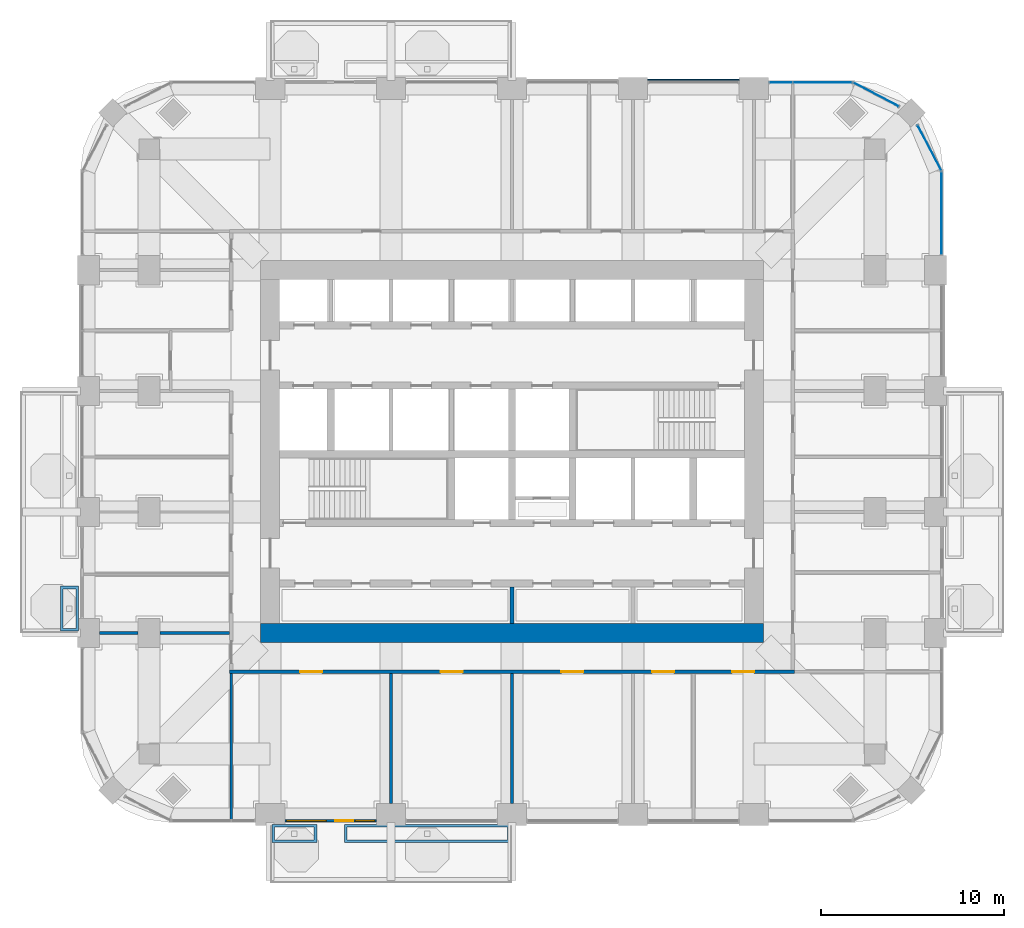
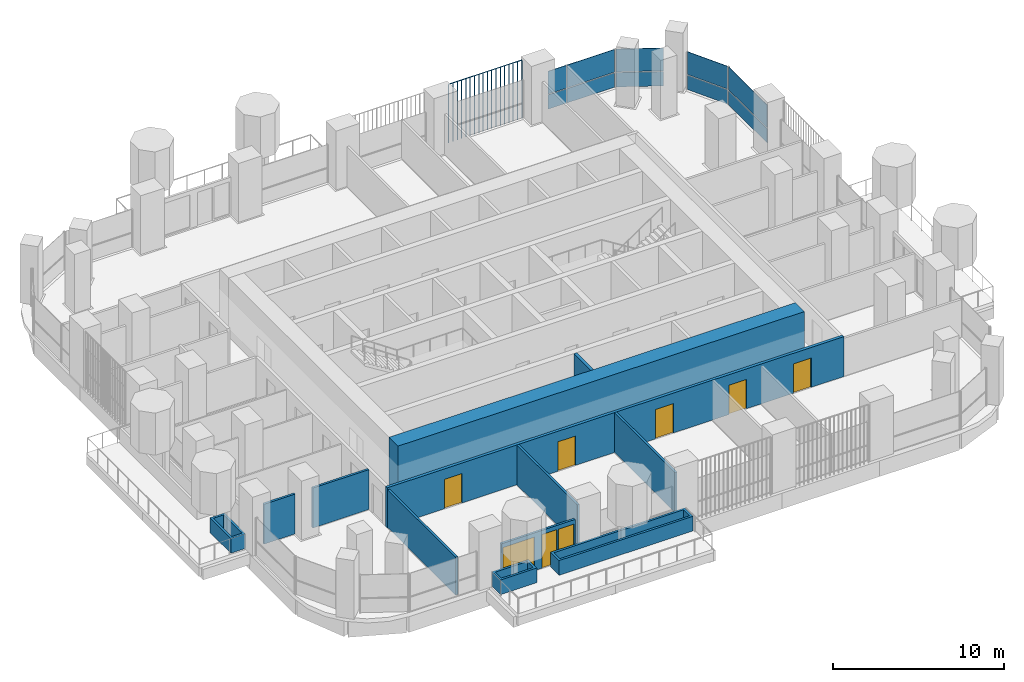
# One storey, part 11 of 20: 12 walls, 11 plates, 6 doors, 2 windows, 8 openings, 4 elements without a shape of their own.
"""IFC4 building model written with IfcOpenShell, lengths in metres."""

from ifc_helpers import new_model, si_unit, direction, frame, frame_2d, origin, origin_2d, place, context, subcontext, project, spatial, polyline, rectangle, outline, extrude, material, layer, layer_set, type_object, element, fill, aggregate, save


model = new_model("IFC4")

# Units and contexts
model_context = context("Model", 3, precision=1e-05, world=origin(), true_north=direction((0.0, 1.0)))
body_context = subcontext(model_context, "Body", "Model", "MODEL_VIEW")
ifc_project = project(units=[si_unit("LENGTHUNIT", "METRE"), si_unit("AREAUNIT", "SQUARE_METRE"), si_unit("VOLUMEUNIT", "CUBIC_METRE"), si_unit("PLANEANGLEUNIT", "RADIAN"), si_unit("MASSUNIT", "GRAM", prefix="KILO")], contexts=[model_context])

# Site, building, storey
site_placement = place(None, origin())
site = spatial("IfcSite", under=ifc_project, at=site_placement, CompositionType="ELEMENT")
building_placement = place(site_placement, origin())
building = spatial("IfcBuilding", under=site, at=building_placement, Name="Cobogo Forest Laboratory Tower", CompositionType="ELEMENT")
storey_placement = place(building_placement, frame((0.0, 0.0, 185.10009765625)))
storey = spatial("IfcBuildingStorey", under=building, at=storey_placement, Name="L42", CompositionType="ELEMENT", Elevation=185.10009765625)

# Curtain wall, plates
ifc_material_1 = material(Name="Aluminium curtain wall", Category="aluminium")
curtain_wall_type = type_object("IfcCurtainWallType", Name="CW-2 unitised curtain wall, solar control glazing, laboratory floors zones C and D", PredefinedType="USERDEFINED", material=ifc_material_1)
curtain_wall_1_placement = place(storey_placement, origin())
curtain_wall_1 = element("IfcCurtainWall", 1, at=curtain_wall_1_placement, inside=storey, type_object=curtain_wall_type, Name="Curtain wall 13 L42", ObjectType="UNITISED CURTAIN WALL", PredefinedType="USERDEFINED")
ifc_material_2 = material(Name="Solar control insulated glass", Category="glass")
ifc_layer_1 = layer(ifc_material_2, 0.031982421875)
ifc_layer_set_1 = layer_set([ifc_layer_1], Name="GP-2 solar control glass unit 32")
plate_type_1 = type_object("IfcPlateType", Name="GP-2 solar control glass unit 32", PredefinedType="CURTAIN_PANEL", material=ifc_layer_set_1)
plate_1_placement = place(storey_placement, frame((49.85009765625, 36.10009765625, 0.0), z_axis=(0.0, 0.0, 1.0), x_axis=(0.0, 1.0, 0.0)))
plate_1 = element("IfcPlate", 2, at=plate_1_placement, type_object=plate_type_1, Name="CW-2 panel 1.1", PredefinedType="CURTAIN_PANEL", context=body_context, shape_type="SweptSolid", body=[
    extrude(rectangle(XDim=4.47998046875, YDim=0.031982421875, at=origin_2d()), origin(), (0.0, 0.0, 1.0), 1.02001953125),
])
plate_2_placement = place(storey_placement, frame((49.85009765625, 36.10009765625, 1.079833984375), z_axis=(0.0, 0.0, 1.0), x_axis=(0.0, 1.0, 0.0)))
plate_2 = element("IfcPlate", 3, at=plate_2_placement, type_object=plate_type_1, Name="CW-2 panel 1.2", PredefinedType="CURTAIN_PANEL", context=body_context, shape_type="SweptSolid", body=[
    extrude(rectangle(XDim=4.47998046875, YDim=0.031982421875, at=origin_2d()), origin(), (0.0, 0.0, 1.0), 1.6201171875),
])
aggregate(curtain_wall_1, [plate_1, plate_2])

curtain_wall_2_placement = place(storey_placement, origin())
curtain_wall_2 = element("IfcCurtainWall", 4, at=curtain_wall_2_placement, inside=storey, type_object=curtain_wall_type, Name="Curtain wall 14 L42", ObjectType="UNITISED CURTAIN WALL", PredefinedType="USERDEFINED")
plate_3_placement = place(storey_placement, frame((49.181396484375, 39.675537109375, 0.0), z_axis=(0.0, 0.0, 1.0), x_axis=(-0.464283804832, 0.885686484356, 0.0)))
plate_3 = element("IfcPlate", 5, at=plate_3_placement, type_object=plate_type_1, Name="CW-2 panel 1.1", PredefinedType="CURTAIN_PANEL", context=body_context, shape_type="SweptSolid", body=[
    extrude(rectangle(XDim=2.76025390625, YDim=0.031982421875, at=origin_2d()), origin(), (0.0, 0.0, 1.0), 1.02001953125),
])
plate_4_placement = place(storey_placement, frame((49.181396484375, 39.675537109375, 1.079833984375), z_axis=(0.0, 0.0, 1.0), x_axis=(-0.464283804832, 0.885686484356, 0.0)))
plate_4 = element("IfcPlate", 6, at=plate_4_placement, type_object=plate_type_1, Name="CW-2 panel 1.2", PredefinedType="CURTAIN_PANEL", context=body_context, shape_type="SweptSolid", body=[
    extrude(rectangle(XDim=2.76025390625, YDim=0.031982421875, at=origin_2d()), origin(), (0.0, 0.0, 1.0), 1.6201171875),
])
aggregate(curtain_wall_2, [plate_3, plate_4])

curtain_wall_3_placement = place(storey_placement, origin())
curtain_wall_3 = element("IfcCurtainWall", 7, at=curtain_wall_3_placement, inside=storey, type_object=curtain_wall_type, Name="Curtain wall 15 L42", ObjectType="UNITISED CURTAIN WALL", PredefinedType="USERDEFINED")
plate_5_placement = place(storey_placement, frame((46.275634765625, 42.581298828125, 0.0), z_axis=(0.0, 0.0, 1.0), x_axis=(-0.885686484356, 0.464283804832, 0.0)))
plate_5 = element("IfcPlate", 8, at=plate_5_placement, type_object=plate_type_1, Name="CW-2 panel 1.1", PredefinedType="CURTAIN_PANEL", context=body_context, shape_type="SweptSolid", body=[
    extrude(rectangle(XDim=2.76025390625, YDim=0.031982421875, at=origin_2d()), origin(), (0.0, 0.0, 1.0), 1.02001953125),
])
plate_6_placement = place(storey_placement, frame((46.275634765625, 42.581298828125, 1.079833984375), z_axis=(0.0, 0.0, 1.0), x_axis=(-0.885686484356, 0.464283804832, 0.0)))
plate_6 = element("IfcPlate", 9, at=plate_6_placement, type_object=plate_type_1, Name="CW-2 panel 1.2", PredefinedType="CURTAIN_PANEL", context=body_context, shape_type="SweptSolid", body=[
    extrude(rectangle(XDim=2.76025390625, YDim=0.031982421875, at=origin_2d()), origin(), (0.0, 0.0, 1.0), 1.6201171875),
])
aggregate(curtain_wall_3, [plate_5, plate_6])

curtain_wall_4_placement = place(storey_placement, origin())
curtain_wall_4 = element("IfcCurtainWall", 10, at=curtain_wall_4_placement, inside=storey, type_object=curtain_wall_type, Name="Curtain wall 16 L42", ObjectType="UNITISED CURTAIN WALL", PredefinedType="USERDEFINED")
plate_7_placement = place(storey_placement, frame((43.347412109375, 43.25, 0.0), z_axis=(0.0, 0.0, 1.0), x_axis=(-1.0, 0.0, 0.0)))
plate_7 = element("IfcPlate", 11, at=plate_7_placement, type_object=plate_type_1, Name="CW-2 panel 1.1", PredefinedType="CURTAIN_PANEL", context=body_context, shape_type="SweptSolid", body=[
    extrude(rectangle(XDim=3.18505859375, YDim=0.031982421875, at=origin_2d()), origin(), (0.0, 0.0, 1.0), 1.02001953125),
])
plate_8_placement = place(storey_placement, frame((43.347412109375, 43.25, 1.079833984375), z_axis=(0.0, 0.0, 1.0), x_axis=(-1.0, 0.0, 0.0)))
plate_8 = element("IfcPlate", 12, at=plate_8_placement, type_object=plate_type_1, Name="CW-2 panel 1.2", PredefinedType="CURTAIN_PANEL", context=body_context, shape_type="SweptSolid", body=[
    extrude(rectangle(XDim=3.18505859375, YDim=0.031982421875, at=origin_2d()), origin(), (0.0, 0.0, 1.0), 1.6201171875),
])
plate_9_placement = place(storey_placement, frame((41.077392578125, 43.25, 0.0), z_axis=(0.0, 0.0, 1.0), x_axis=(-1.0, 0.0, 0.0)))
plate_9 = element("IfcPlate", 13, at=plate_9_placement, type_object=plate_type_1, Name="CW-2 panel 2.1", PredefinedType="CURTAIN_PANEL", context=body_context, shape_type="SweptSolid", body=[
    extrude(rectangle(XDim=1.235107421875, YDim=0.031982421875, at=origin_2d()), origin(), (0.0, 0.0, 1.0), 1.02001953125),
])
plate_10_placement = place(storey_placement, frame((41.077392578125, 43.25, 1.079833984375), z_axis=(0.0, 0.0, 1.0), x_axis=(-1.0, 0.0, 0.0)))
plate_10 = element("IfcPlate", 14, at=plate_10_placement, type_object=plate_type_1, Name="CW-2 panel 2.2", PredefinedType="CURTAIN_PANEL", context=body_context, shape_type="SweptSolid", body=[
    extrude(rectangle(XDim=1.235107421875, YDim=0.031982421875, at=origin_2d()), origin(), (0.0, 0.0, 1.0), 1.6201171875),
])
aggregate(curtain_wall_4, [plate_7, plate_8, plate_9, plate_10])

# Plate
ifc_material_3 = material(Name="Terracotta", Category="masonry")
plate_type_2 = type_object("IfcPlateType", Name="TB1 terracotta baguette screen", PredefinedType="USERDEFINED", material=ifc_material_3)
plate_11_placement = place(storey_placement, frame((33.831298828125, 43.3779296875, -0.150146484375)))
element("IfcPlate", 15, at=plate_11_placement, inside=storey, type_object=plate_type_2, Name="Baguette screen N4 L42", ObjectType="BAGUETTE SCREEN", PredefinedType="USERDEFINED", context=body_context, shape_type="SweptSolid", body=[
    extrude(outline(polyline([(0.02880859375, 0.011962890625), (0.011962890625, 0.02880859375), (-0.011962890625, 0.02880859375), (-0.02880859375, 0.011962890625), (-0.02880859375, -0.011962890625), (-0.011962890625, -0.02880859375), (0.011962890625, -0.02880859375), (0.02880859375, -0.011962890625), (0.02880859375, 0.011962890625)])), frame((0.0, 0.0, 4.168701171875), z_axis=(1.0, 0.0, 0.0), x_axis=(0.0, 1.0, 0.0)), (0.0, 0.0, 1.0), 4.9375),
    extrude(outline(polyline([(0.02880859375, 0.011962890625), (0.011962890625, 0.02880859375), (-0.011962890625, 0.02880859375), (-0.02880859375, 0.011962890625), (-0.02880859375, -0.011962890625), (-0.011962890625, -0.02880859375), (0.011962890625, -0.02880859375), (0.02880859375, -0.011962890625), (0.02880859375, 0.011962890625)])), origin(), (0.0, 0.0, 1.0), 4.137451171875),
    extrude(outline(polyline([(0.02880859375, 0.011962890625), (0.011962890625, 0.02880859375), (-0.011962890625, 0.02880859375), (-0.02880859375, 0.011962890625), (-0.02880859375, -0.011962890625), (-0.011962890625, -0.02880859375), (0.011962890625, -0.02880859375), (0.02880859375, -0.011962890625), (0.02880859375, 0.011962890625)])), frame((0.29052734375, 0.0, 0.0)), (0.0, 0.0, 1.0), 4.137451171875),
    extrude(outline(polyline([(0.02880859375, 0.011962890625), (0.011962890625, 0.02880859375), (-0.011962890625, 0.02880859375), (-0.02880859375, 0.011962890625), (-0.02880859375, -0.011962890625), (-0.011962890625, -0.02880859375), (0.011962890625, -0.02880859375), (0.02880859375, -0.011962890625), (0.02880859375, 0.011962890625)])), frame((0.580810546875, 0.0, 0.0)), (0.0, 0.0, 1.0), 4.137451171875),
    extrude(outline(polyline([(0.02880859375, 0.011962890625), (0.011962890625, 0.02880859375), (-0.011962890625, 0.02880859375), (-0.02880859375, 0.011962890625), (-0.02880859375, -0.011962890625), (-0.011962890625, -0.02880859375), (0.011962890625, -0.02880859375), (0.02880859375, -0.011962890625), (0.02880859375, 0.011962890625)])), frame((0.871337890625, 0.0, 0.0)), (0.0, 0.0, 1.0), 4.137451171875),
    extrude(outline(polyline([(0.02880859375, 0.011962890625), (0.011962890625, 0.02880859375), (-0.011962890625, 0.02880859375), (-0.02880859375, 0.011962890625), (-0.02880859375, -0.011962890625), (-0.011962890625, -0.02880859375), (0.011962890625, -0.02880859375), (0.02880859375, -0.011962890625), (0.02880859375, 0.011962890625)])), frame((1.161865234375, 0.0, 0.0)), (0.0, 0.0, 1.0), 4.137451171875),
    extrude(outline(polyline([(0.02880859375, 0.011962890625), (0.011962890625, 0.02880859375), (-0.011962890625, 0.02880859375), (-0.02880859375, 0.011962890625), (-0.02880859375, -0.011962890625), (-0.011962890625, -0.02880859375), (0.011962890625, -0.02880859375), (0.02880859375, -0.011962890625), (0.02880859375, 0.011962890625)])), frame((1.4521484375, 0.0, 0.0)), (0.0, 0.0, 1.0), 4.137451171875),
    extrude(outline(polyline([(0.02880859375, 0.011962890625), (0.011962890625, 0.02880859375), (-0.011962890625, 0.02880859375), (-0.02880859375, 0.011962890625), (-0.02880859375, -0.011962890625), (-0.011962890625, -0.02880859375), (0.011962890625, -0.02880859375), (0.02880859375, -0.011962890625), (0.02880859375, 0.011962890625)])), frame((1.74267578125, 0.0, 0.0)), (0.0, 0.0, 1.0), 4.137451171875),
    extrude(outline(polyline([(0.02880859375, 0.011962890625), (0.011962890625, 0.02880859375), (-0.011962890625, 0.02880859375), (-0.02880859375, 0.011962890625), (-0.02880859375, -0.011962890625), (-0.011962890625, -0.02880859375), (0.011962890625, -0.02880859375), (0.02880859375, -0.011962890625), (0.02880859375, 0.011962890625)])), frame((2.033203125, 0.0, 0.0)), (0.0, 0.0, 1.0), 4.137451171875),
    extrude(outline(polyline([(0.02880859375, 0.011962890625), (0.011962890625, 0.02880859375), (-0.011962890625, 0.02880859375), (-0.02880859375, 0.011962890625), (-0.02880859375, -0.011962890625), (-0.011962890625, -0.02880859375), (0.011962890625, -0.02880859375), (0.02880859375, -0.011962890625), (0.02880859375, 0.011962890625)])), frame((2.323486328125, 0.0, 0.0)), (0.0, 0.0, 1.0), 4.137451171875),
    extrude(outline(polyline([(0.02880859375, 0.011962890625), (0.011962890625, 0.02880859375), (-0.011962890625, 0.02880859375), (-0.02880859375, 0.011962890625), (-0.02880859375, -0.011962890625), (-0.011962890625, -0.02880859375), (0.011962890625, -0.02880859375), (0.02880859375, -0.011962890625), (0.02880859375, 0.011962890625)])), frame((2.614013671875, 0.0, 0.0)), (0.0, 0.0, 1.0), 4.137451171875),
    extrude(outline(polyline([(0.02880859375, 0.011962890625), (0.011962890625, 0.02880859375), (-0.011962890625, 0.02880859375), (-0.02880859375, 0.011962890625), (-0.02880859375, -0.011962890625), (-0.011962890625, -0.02880859375), (0.011962890625, -0.02880859375), (0.02880859375, -0.011962890625), (0.02880859375, 0.011962890625)])), frame((2.904296875, 0.0, 0.0)), (0.0, 0.0, 1.0), 4.137451171875),
    extrude(outline(polyline([(0.02880859375, 0.011962890625), (0.011962890625, 0.02880859375), (-0.011962890625, 0.02880859375), (-0.02880859375, 0.011962890625), (-0.02880859375, -0.011962890625), (-0.011962890625, -0.02880859375), (0.011962890625, -0.02880859375), (0.02880859375, -0.011962890625), (0.02880859375, 0.011962890625)])), frame((3.19482421875, 0.0, 0.0)), (0.0, 0.0, 1.0), 4.137451171875),
    extrude(outline(polyline([(0.02880859375, 0.011962890625), (0.011962890625, 0.02880859375), (-0.011962890625, 0.02880859375), (-0.02880859375, 0.011962890625), (-0.02880859375, -0.011962890625), (-0.011962890625, -0.02880859375), (0.011962890625, -0.02880859375), (0.02880859375, -0.011962890625), (0.02880859375, 0.011962890625)])), frame((3.4853515625, 0.0, 0.0)), (0.0, 0.0, 1.0), 4.137451171875),
    extrude(outline(polyline([(0.02880859375, 0.011962890625), (0.011962890625, 0.02880859375), (-0.011962890625, 0.02880859375), (-0.02880859375, 0.011962890625), (-0.02880859375, -0.011962890625), (-0.011962890625, -0.02880859375), (0.011962890625, -0.02880859375), (0.02880859375, -0.011962890625), (0.02880859375, 0.011962890625)])), frame((3.775634765625, 0.0, 0.0)), (0.0, 0.0, 1.0), 4.137451171875),
    extrude(outline(polyline([(0.02880859375, 0.011962890625), (0.011962890625, 0.02880859375), (-0.011962890625, 0.02880859375), (-0.02880859375, 0.011962890625), (-0.02880859375, -0.011962890625), (-0.011962890625, -0.02880859375), (0.011962890625, -0.02880859375), (0.02880859375, -0.011962890625), (0.02880859375, 0.011962890625)])), frame((4.066162109375, 0.0, 0.0)), (0.0, 0.0, 1.0), 4.137451171875),
    extrude(outline(polyline([(0.02880859375, 0.011962890625), (0.011962890625, 0.02880859375), (-0.011962890625, 0.02880859375), (-0.02880859375, 0.011962890625), (-0.02880859375, -0.011962890625), (-0.011962890625, -0.02880859375), (0.011962890625, -0.02880859375), (0.02880859375, -0.011962890625), (0.02880859375, 0.011962890625)])), frame((4.356689453125, 0.0, 0.0)), (0.0, 0.0, 1.0), 4.137451171875),
    extrude(outline(polyline([(0.02880859375, 0.011962890625), (0.011962890625, 0.02880859375), (-0.011962890625, 0.02880859375), (-0.02880859375, 0.011962890625), (-0.02880859375, -0.011962890625), (-0.011962890625, -0.02880859375), (0.011962890625, -0.02880859375), (0.02880859375, -0.011962890625), (0.02880859375, 0.011962890625)])), frame((4.64697265625, 0.0, 0.0)), (0.0, 0.0, 1.0), 4.137451171875),
    extrude(outline(polyline([(0.02880859375, 0.011962890625), (0.011962890625, 0.02880859375), (-0.011962890625, 0.02880859375), (-0.02880859375, 0.011962890625), (-0.02880859375, -0.011962890625), (-0.011962890625, -0.02880859375), (0.011962890625, -0.02880859375), (0.02880859375, -0.011962890625), (0.02880859375, 0.011962890625)])), frame((4.9375, 0.0, 0.0)), (0.0, 0.0, 1.0), 4.137451171875),
])

# Wall
ifc_material_4 = material(Name="Concrete HA-50 (C50/60)", Category="concrete")
ifc_layer_2 = layer(ifc_material_4, 1.050048828125)
ifc_layer_set_2 = layer_set([ifc_layer_2], Name="CW1050 core outer wall 1050")
wall_type_1 = type_object("IfcWallType", Name="CW1050 core outer wall 1050", PredefinedType="SHEAR", material=ifc_layer_set_2)
wall_1_placement = place(storey_placement, frame((12.675048828125, 13.199951171875, 0.0), z_axis=(0.0, 0.0, 1.0), x_axis=(1.0, 0.0, 0.0)))
element("IfcWall", 16, at=wall_1_placement, inside=storey, type_object=wall_type_1, Name="Core wall CO-S L42", PredefinedType="SHEAR", context=body_context, shape_type="SweptSolid", body=[
    extrude(rectangle(XDim=27.449951171875, YDim=1.050048828125, at=frame_2d((13.72509765625, 0.0))), origin(), (0.0, 0.0, 1.0), 4.199951171875),
])

# Wall, openings, door, windows
ifc_material_5 = material(Name="Aluminium framed glazed screen", Category="aluminium")
ifc_layer_3 = layer(ifc_material_5, 0.14990234375)
ifc_layer_set_3 = layer_set([ifc_layer_3], Name="GS1 glazed door screen 150")
wall_type_2 = type_object("IfcWallType", Name="GS1 glazed door screen 150", PredefinedType="SOLIDWALL", material=ifc_layer_set_3)
wall_2_placement = place(storey_placement, frame((14.0, 2.949951171875, 0.0), z_axis=(0.0, 0.0, 1.0), x_axis=(1.0, 0.0, 0.0)))
wall_2 = element("IfcWall", 17, at=wall_2_placement, inside=storey, type_object=wall_type_2, Name="Door screen BAL-S1 L42", PredefinedType="SOLIDWALL", context=body_context, shape_type="SweptSolid", body=[
    extrude(rectangle(XDim=5.0, YDim=0.14990234375, at=frame_2d((2.5, 0.0))), origin(), (0.0, 0.0, 1.0), 2.699951171875),
])
opening_1_placement = place(wall_2_placement, frame((2.75, 0.0, 0.0)))
opening_1 = element("IfcOpeningElement", 18, at=opening_1_placement, cuts=wall_2, Name="Opening L42-D01", PredefinedType="OPENING", context=body_context, shape_type="SweptSolid", body=[
    extrude(rectangle(XDim=1.0, YDim=2.39990234375, at=frame_2d((0.5, 1.199951171875))), frame((0.0, 0.0849609375, 0.0), z_axis=(0.0, -1.0, 0.0), x_axis=(1.0, 0.0, 0.0)), (0.0, 0.0, 1.0), 0.169921875),
])
opening_2_placement = place(wall_2_placement, frame((0.10009765625, 0.0, 0.10009765625)))
opening_2 = element("IfcOpeningElement", 19, at=opening_2_placement, cuts=wall_2, Name="Opening L42-W01", PredefinedType="OPENING", context=body_context, shape_type="SweptSolid", body=[
    extrude(rectangle(XDim=2.14990234375, YDim=2.300048828125, at=frame_2d((1.074951171875, 1.14990234375))), frame((0.0, 0.0849609375, 0.0), z_axis=(0.0, -1.0, 0.0), x_axis=(1.0, 0.0, 0.0)), (0.0, 0.0, 1.0), 0.169921875),
])
opening_3_placement = place(wall_2_placement, frame((3.85009765625, 0.0, 0.10009765625)))
opening_3 = element("IfcOpeningElement", 20, at=opening_3_placement, cuts=wall_2, Name="Opening L42-W02", PredefinedType="OPENING", context=body_context, shape_type="SweptSolid", body=[
    extrude(rectangle(XDim=1.050048828125, YDim=2.300048828125, at=frame_2d((0.52490234375, 1.14990234375))), frame((0.0, 0.0849609375, 0.0), z_axis=(0.0, -1.0, 0.0), x_axis=(1.0, 0.0, 0.0)), (0.0, 0.0, 1.0), 0.169921875),
])
ifc_material_6 = material(Name="Aluminium glazed door", Category="aluminium")
door_type_1 = type_object("IfcDoorType", Name="DB1 balcony door 1000 glazed", OperationType="SINGLE_SWING_LEFT", PredefinedType="DOOR", material=ifc_material_6)
door_1_placement = place(opening_1_placement, origin())
door_1 = element("IfcDoor", 21, at=door_1_placement, inside=storey, type_object=door_type_1, Name="Door L42-BAL-S1", OperationType="SINGLE_SWING_RIGHT", OverallHeight=2.39990234375, OverallWidth=1.0, PredefinedType="DOOR", context=body_context, shape_type="SweptSolid", body=[
    extrude(rectangle(XDim=1.0, YDim=2.39990234375, at=frame_2d((0.5, 1.199951171875))), frame((0.0, 0.02490234375, 0.0), z_axis=(0.0, -1.0, 0.0), x_axis=(1.0, 0.0, 0.0)), (0.0, 0.0, 1.0), 0.050048828125),
])
fill(opening_1, door_1)
ifc_material_7 = material(Name="Aluminium framed glazing", Category="aluminium")
window_type_1 = type_object("IfcWindowType", Name="WG13 fixed glazed light 2150x2300", PartitioningType="SINGLE_PANEL", PredefinedType="WINDOW", material=ifc_material_7)
window_1_placement = place(opening_2_placement, origin())
window_1 = element("IfcWindow", 22, at=window_1_placement, inside=storey, type_object=window_type_1, Name="Window L42-BAL-S1-1", OverallHeight=2.300048828125, OverallWidth=2.14990234375, PartitioningType="SINGLE_PANEL", PredefinedType="WINDOW", context=body_context, shape_type="SweptSolid", body=[
    extrude(rectangle(XDim=2.14990234375, YDim=2.300048828125, at=frame_2d((1.074951171875, 1.14990234375))), frame((0.0, 0.030029296875, 0.0), z_axis=(0.0, -1.0, 0.0), x_axis=(1.0, 0.0, 0.0)), (0.0, 0.0, 1.0), 0.06005859375),
])
fill(opening_2, window_1)
window_type_2 = type_object("IfcWindowType", Name="WG14 fixed glazed light 1050x2300", PartitioningType="SINGLE_PANEL", PredefinedType="WINDOW", material=ifc_material_7)
window_2_placement = place(opening_3_placement, origin())
window_2 = element("IfcWindow", 23, at=window_2_placement, inside=storey, type_object=window_type_2, Name="Window L42-BAL-S1-2", OverallHeight=2.300048828125, OverallWidth=1.050048828125, PartitioningType="SINGLE_PANEL", PredefinedType="WINDOW", context=body_context, shape_type="SweptSolid", body=[
    extrude(rectangle(XDim=1.050048828125, YDim=2.300048828125, at=frame_2d((0.52490234375, 1.14990234375))), frame((0.0, 0.030029296875, 0.0), z_axis=(0.0, -1.0, 0.0), x_axis=(1.0, 0.0, 0.0)), (0.0, 0.0, 1.0), 0.06005859375),
])
fill(opening_3, window_2)

# Walls
ifc_material_8 = material(Name="Gypsum board on steel studs", Category="steel")
ifc_layer_4 = layer(ifc_material_8, 0.14990234375)
ifc_layer_set_4 = layer_set([ifc_layer_4], Name="PT1 laboratory partition 150")
wall_type_3 = type_object("IfcWallType", Name="PT1 laboratory partition 150", PredefinedType="PARTITIONING", material=ifc_layer_set_4)
wall_3_placement = place(storey_placement, frame((11.074951171875, 3.030029296875, 0.0), z_axis=(0.0, 0.0, 1.0), x_axis=(0.0, 1.0, 0.0)))
element("IfcWall", 24, at=wall_3_placement, inside=storey, type_object=wall_type_3, Name="Partition PW-SW L42", PredefinedType="PARTITIONING", context=body_context, shape_type="SweptSolid", body=[
    extrude(rectangle(XDim=7.945068359375, YDim=0.14990234375, at=frame_2d((3.97265625, 0.0))), origin(), (0.0, 0.0, 1.0), 2.699951171875),
])
for number, where, z_axis, x_axis, name in (
    (25, (19.800048828125, 3.89990234375, 0.0), (0.0, 0.0, 1.0), (0.0, 1.0, 0.0), "Partition CUT-S19.8-1 L42"),
    (26, (26.39990234375, 3.89990234375, 0.0), (0.0, 0.0, 1.0), (0.0, 1.0, 0.0), "Partition CUT-S26.4-1 L42"),
):
    element("IfcWall", number, at=place(storey_placement, frame(where, z_axis=z_axis, x_axis=x_axis)), inside=storey, type_object=wall_type_3, Name=name, PredefinedType="PARTITIONING", context=body_context, shape_type="SweptSolid", body=[
        extrude(rectangle(XDim=7.0751953125, YDim=0.14990234375, at=frame_2d((3.53759765625, 0.0))), origin(), (0.0, 0.0, 1.0), 2.849853515625),
    ])
wall_4_placement = place(storey_placement, frame((3.89990234375, 13.199951171875, 0.0), z_axis=(0.0, 0.0, 1.0), x_axis=(1.0, 0.0, 0.0)))
element("IfcWall", 27, at=wall_4_placement, inside=storey, type_object=wall_type_3, Name="Partition CUT-W13.2-1 L42", PredefinedType="PARTITIONING", context=body_context, shape_type="SweptSolid", body=[
    extrude(rectangle(XDim=2.10009765625, YDim=0.14990234375, at=frame_2d((1.050048828125, 0.0))), origin(), (0.0, 0.0, 1.0), 2.849853515625),
])
wall_5_placement = place(storey_placement, frame((7.199951171875, 13.199951171875, 0.0), z_axis=(0.0, 0.0, 1.0), x_axis=(1.0, 0.0, 0.0)))
element("IfcWall", 28, at=wall_5_placement, inside=storey, type_object=wall_type_3, Name="Partition CUT-W13.2-2 L42", PredefinedType="PARTITIONING", context=body_context, shape_type="SweptSolid", body=[
    extrude(rectangle(XDim=3.775146484375, YDim=0.14990234375, at=frame_2d((1.8876953125, 0.0))), origin(), (0.0, 0.0, 1.0), 2.849853515625),
])

# Wall, openings, doors
ifc_layer_5 = layer(ifc_material_8, 0.199951171875)
ifc_layer_set_5 = layer_set([ifc_layer_5], Name="PT2 fire-rated corridor partition 200")
wall_type_4 = type_object("IfcWallType", Name="PT2 fire-rated corridor partition 200", PredefinedType="PARTITIONING", material=ifc_layer_set_5)
wall_6_placement = place(storey_placement, frame((10.97509765625, 11.074951171875, 0.0), z_axis=(0.0, 0.0, 1.0), x_axis=(1.0, 0.0, 0.0)))
wall_6 = element("IfcWall", 29, at=wall_6_placement, inside=storey, type_object=wall_type_4, Name="Partition CORR-S L42", PredefinedType="PARTITIONING", context=body_context, shape_type="SweptSolid", body=[
    extrude(rectangle(XDim=30.849853515625, YDim=0.199951171875, at=frame_2d((15.4248046875, 0.0))), origin(), (0.0, 0.0, 1.0), 2.849853515625),
])
opening_4_placement = place(wall_6_placement, frame((3.862548828125, 0.0, 0.0)))
opening_4 = element("IfcOpeningElement", 30, at=opening_4_placement, cuts=wall_6, Name="Opening L42-D02", PredefinedType="OPENING", context=body_context, shape_type="SweptSolid", body=[
    extrude(rectangle(XDim=1.199951171875, YDim=2.10009765625, at=frame_2d((0.60009765625, 1.050048828125))), frame((0.0, 0.10986328125, 0.0), z_axis=(0.0, -1.0, 0.0), x_axis=(1.0, 0.0, 0.0)), (0.0, 0.0, 1.0), 0.219970703125),
])
opening_5_placement = place(wall_6_placement, frame((11.52490234375, 0.0, 0.0)))
opening_5 = element("IfcOpeningElement", 31, at=opening_5_placement, cuts=wall_6, Name="Opening L42-D03", PredefinedType="OPENING", context=body_context, shape_type="SweptSolid", body=[
    extrude(rectangle(XDim=1.199951171875, YDim=2.10009765625, at=frame_2d((0.60009765625, 1.050048828125))), frame((0.0, 0.10986328125, 0.0), z_axis=(0.0, -1.0, 0.0), x_axis=(1.0, 0.0, 0.0)), (0.0, 0.0, 1.0), 0.219970703125),
])
opening_6_placement = place(wall_6_placement, frame((18.125, 0.0, 0.0)))
opening_6 = element("IfcOpeningElement", 32, at=opening_6_placement, cuts=wall_6, Name="Opening L42-D04", PredefinedType="OPENING", context=body_context, shape_type="SweptSolid", body=[
    extrude(rectangle(XDim=1.199951171875, YDim=2.10009765625, at=frame_2d((0.60009765625, 1.050048828125))), frame((0.0, 0.10986328125, 0.0), z_axis=(0.0, -1.0, 0.0), x_axis=(1.0, 0.0, 0.0)), (0.0, 0.0, 1.0), 0.219970703125),
])
opening_7_placement = place(wall_6_placement, frame((23.074951171875, 0.0, 0.0)))
opening_7 = element("IfcOpeningElement", 33, at=opening_7_placement, cuts=wall_6, Name="Opening L42-D05", PredefinedType="OPENING", context=body_context, shape_type="SweptSolid", body=[
    extrude(rectangle(XDim=1.199951171875, YDim=2.10009765625, at=frame_2d((0.60009765625, 1.050048828125))), frame((0.0, 0.10986328125, 0.0), z_axis=(0.0, -1.0, 0.0), x_axis=(1.0, 0.0, 0.0)), (0.0, 0.0, 1.0), 0.219970703125),
])
opening_8_placement = place(wall_6_placement, frame((27.4375, 0.0, 0.0)))
opening_8 = element("IfcOpeningElement", 34, at=opening_8_placement, cuts=wall_6, Name="Opening L42-D06", PredefinedType="OPENING", context=body_context, shape_type="SweptSolid", body=[
    extrude(rectangle(XDim=1.199951171875, YDim=2.10009765625, at=frame_2d((0.60009765625, 1.050048828125))), frame((0.0, 0.10986328125, 0.0), z_axis=(0.0, -1.0, 0.0), x_axis=(1.0, 0.0, 0.0)), (0.0, 0.0, 1.0), 0.219970703125),
])
ifc_material_9 = material(Name="Timber door", Category="wood")
door_type_2 = type_object("IfcDoorType", Name="D2 laboratory door 1200 unequal pair", OperationType="DOUBLE_DOOR_SINGLE_SWING", PredefinedType="DOOR", material=ifc_material_9)
door_2_placement = place(opening_4_placement, origin())
door_2 = element("IfcDoor", 35, at=door_2_placement, inside=storey, type_object=door_type_2, Name="Door L42-S1", OperationType="DOUBLE_DOOR_SINGLE_SWING", OverallHeight=2.10009765625, OverallWidth=1.199951171875, PredefinedType="DOOR", context=body_context, shape_type="SweptSolid", body=[
    extrude(rectangle(XDim=1.199951171875, YDim=2.10009765625, at=frame_2d((0.60009765625, 1.050048828125))), frame((0.0, 0.02490234375, 0.0), z_axis=(0.0, -1.0, 0.0), x_axis=(1.0, 0.0, 0.0)), (0.0, 0.0, 1.0), 0.050048828125),
])
fill(opening_4, door_2)
door_3_placement = place(opening_5_placement, origin())
door_3 = element("IfcDoor", 36, at=door_3_placement, inside=storey, type_object=door_type_2, Name="Door L42-S2", OperationType="DOUBLE_DOOR_SINGLE_SWING", OverallHeight=2.10009765625, OverallWidth=1.199951171875, PredefinedType="DOOR", context=body_context, shape_type="SweptSolid", body=[
    extrude(rectangle(XDim=1.199951171875, YDim=2.10009765625, at=frame_2d((0.60009765625, 1.050048828125))), frame((0.0, 0.02490234375, 0.0), z_axis=(0.0, -1.0, 0.0), x_axis=(1.0, 0.0, 0.0)), (0.0, 0.0, 1.0), 0.050048828125),
])
fill(opening_5, door_3)
door_4_placement = place(opening_6_placement, origin())
door_4 = element("IfcDoor", 37, at=door_4_placement, inside=storey, type_object=door_type_2, Name="Door L42-S3", OperationType="DOUBLE_DOOR_SINGLE_SWING", OverallHeight=2.10009765625, OverallWidth=1.199951171875, PredefinedType="DOOR", context=body_context, shape_type="SweptSolid", body=[
    extrude(rectangle(XDim=1.199951171875, YDim=2.10009765625, at=frame_2d((0.60009765625, 1.050048828125))), frame((0.0, 0.02490234375, 0.0), z_axis=(0.0, -1.0, 0.0), x_axis=(1.0, 0.0, 0.0)), (0.0, 0.0, 1.0), 0.050048828125),
])
fill(opening_6, door_4)
door_5_placement = place(opening_7_placement, origin())
door_5 = element("IfcDoor", 38, at=door_5_placement, inside=storey, type_object=door_type_2, Name="Door L42-S4", OperationType="DOUBLE_DOOR_SINGLE_SWING", OverallHeight=2.10009765625, OverallWidth=1.199951171875, PredefinedType="DOOR", context=body_context, shape_type="SweptSolid", body=[
    extrude(rectangle(XDim=1.199951171875, YDim=2.10009765625, at=frame_2d((0.60009765625, 1.050048828125))), frame((0.0, 0.02490234375, 0.0), z_axis=(0.0, -1.0, 0.0), x_axis=(1.0, 0.0, 0.0)), (0.0, 0.0, 1.0), 0.050048828125),
])
fill(opening_7, door_5)
door_6_placement = place(opening_8_placement, origin())
door_6 = element("IfcDoor", 39, at=door_6_placement, inside=storey, type_object=door_type_2, Name="Door L42-S5", OperationType="DOUBLE_DOOR_SINGLE_SWING", OverallHeight=2.10009765625, OverallWidth=1.199951171875, PredefinedType="DOOR", context=body_context, shape_type="SweptSolid", body=[
    extrude(rectangle(XDim=1.199951171875, YDim=2.10009765625, at=frame_2d((0.60009765625, 1.050048828125))), frame((0.0, 0.02490234375, 0.0), z_axis=(0.0, -1.0, 0.0), x_axis=(1.0, 0.0, 0.0)), (0.0, 0.0, 1.0), 0.050048828125),
])
fill(opening_8, door_6)

# Walls
ifc_material_10 = material(Name="Concrete HA-40 (C40/50)", Category="concrete")
ifc_layer_6 = layer(ifc_material_10, 0.14990234375)
ifc_layer_set_6 = layer_set([ifc_layer_6], Name="Planter box 1000x1050")
wall_type_5 = type_object("IfcWallType", Name="Planter box 1000x1050", PredefinedType="USERDEFINED", material=ifc_layer_set_6)
wall_7_placement = place(storey_placement, origin())
element("IfcWall", 40, at=wall_7_placement, inside=storey, type_object=wall_type_5, Name="Planter BAL-S1-1 L42", ObjectType="PLANTER", PredefinedType="USERDEFINED", context=body_context, shape_type="SweptSolid", body=[
    extrude(outline(polyline([(13.300048828125, 1.75), (15.75, 1.75), (15.75, 2.75), (13.300048828125, 2.75), (13.300048828125, 1.75)]), holes=[polyline([(13.449951171875, 1.89990234375), (15.60009765625, 1.89990234375), (15.60009765625, 2.60009765625), (13.449951171875, 2.60009765625), (13.449951171875, 1.89990234375)])]), origin(), (0.0, 0.0, 1.0), 1.0498046875),
])
wall_8_placement = place(storey_placement, origin())
element("IfcWall", 41, at=wall_8_placement, inside=storey, type_object=wall_type_5, Name="Planter BAL-S1-2 L42", ObjectType="PLANTER", PredefinedType="USERDEFINED", context=body_context, shape_type="SweptSolid", body=[
    extrude(outline(polyline([(17.25, 1.75), (26.300048828125, 1.75), (26.300048828125, 2.75), (17.25, 2.75), (17.25, 1.75)]), holes=[polyline([(17.39990234375, 1.89990234375), (26.14990234375, 1.89990234375), (26.14990234375, 2.60009765625), (17.39990234375, 2.60009765625), (17.39990234375, 1.89990234375)])]), origin(), (0.0, 0.0, 1.0), 1.0498046875),
])
wall_9_placement = place(storey_placement, origin())
element("IfcWall", 42, at=wall_9_placement, inside=storey, type_object=wall_type_5, Name="Planter BAL-W1-1 L42", ObjectType="PLANTER", PredefinedType="USERDEFINED", context=body_context, shape_type="SweptSolid", body=[
    extrude(outline(polyline([(1.75, 13.300048828125), (2.75, 13.300048828125), (2.75, 15.75), (1.75, 15.75), (1.75, 13.300048828125)]), holes=[polyline([(1.89990234375, 13.449951171875), (2.60009765625, 13.449951171875), (2.60009765625, 15.60009765625), (1.89990234375, 15.60009765625), (1.89990234375, 13.449951171875)])]), origin(), (0.0, 0.0, 1.0), 1.0498046875),
])
ifc_material_11 = material(Name="Concrete block", Category="concrete")
ifc_layer_7 = layer(ifc_material_11, 0.199951171875)
ifc_layer_set_7 = layer_set([ifc_layer_7], Name="SW200 lift shaft separator 200")
wall_type_6 = type_object("IfcWallType", Name="SW200 lift shaft separator 200", PredefinedType="PARTITIONING", material=ifc_layer_set_7)
wall_10_placement = place(storey_placement, frame((26.39990234375, 13.72509765625, 0.0), z_axis=(0.0, 0.0, 1.0), x_axis=(0.0, 1.0, 0.0)))
element("IfcWall", 43, at=wall_10_placement, inside=storey, type_object=wall_type_6, Name="Core wall SEP-S4 L42", PredefinedType="PARTITIONING", context=body_context, shape_type="SweptSolid", body=[
    extrude(rectangle(XDim=1.974853515625, YDim=0.199951171875, at=frame_2d((0.9873046875, 0.0))), origin(), (0.0, 0.0, 1.0), 4.199951171875),
])

save(model, "model.ifc")
